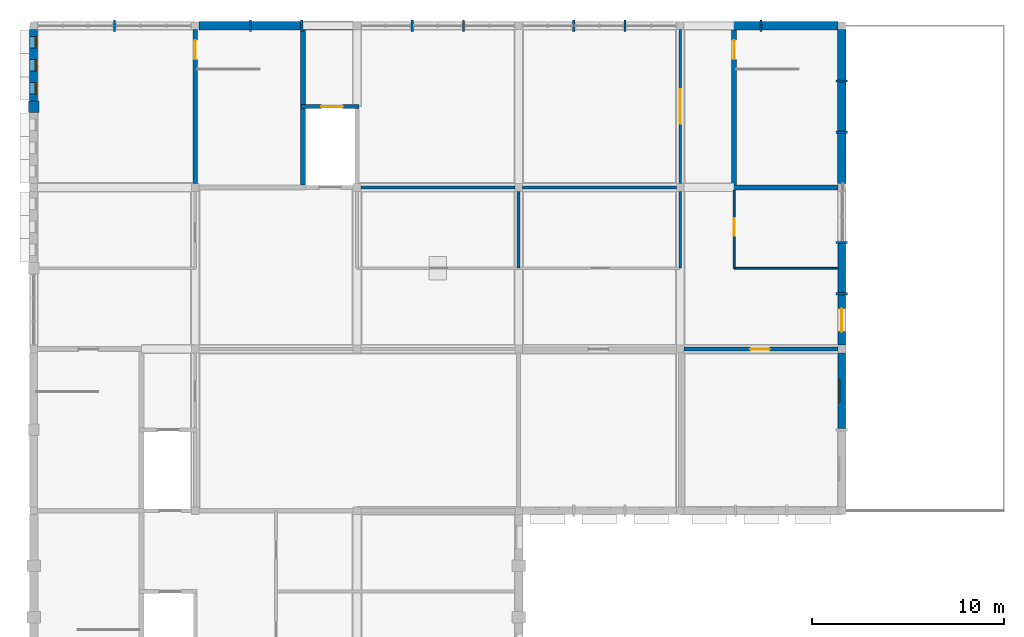
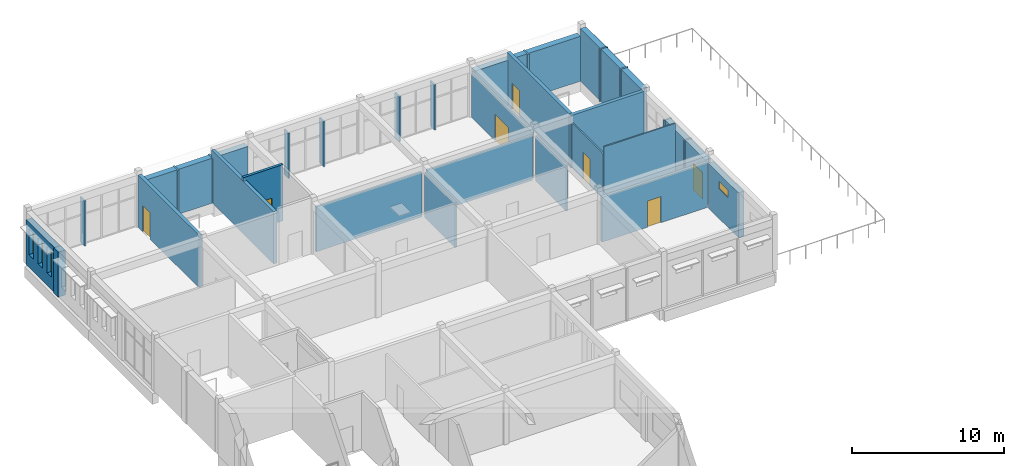
# One storey, part 14 of 15: 38 walls, 7 doors, 4 windows, 11 openings.
"""IFC4 building model written with IfcOpenShell, lengths in metres."""

from ifc_helpers import new_model, si_unit, direction, frame, frame_2d, origin, place, context, subcontext, project, spatial, rectangle, extrude, material, layer, layer_set, type_object, element, fill, save


model = new_model("IFC4")

# Units and contexts
model_context = context("Model", 3, precision=1e-05, world=origin(), true_north=direction((0.0, 1.0)))
body_context = subcontext(model_context, "Body", "Model", "MODEL_VIEW")
ifc_project = project(units=[si_unit("LENGTHUNIT", "METRE"), si_unit("AREAUNIT", "SQUARE_METRE"), si_unit("VOLUMEUNIT", "CUBIC_METRE"), si_unit("PLANEANGLEUNIT", "RADIAN"), si_unit("MASSUNIT", "GRAM", prefix="KILO")], contexts=[model_context])

# Site, building, storey
site_placement = place(None, origin())
site = spatial("IfcSite", under=ifc_project, at=site_placement, CompositionType="ELEMENT")
building_placement = place(site_placement, origin())
building = spatial("IfcBuilding", under=site, at=building_placement, Name="Fescue Hill Polytechnic", CompositionType="ELEMENT")
storey_placement = place(building_placement, frame((0.0, 0.0, 31.5)))
storey = spatial("IfcBuildingStorey", under=building, at=storey_placement, Name="L07", CompositionType="ELEMENT", Elevation=31.5)

# Walls
ifc_material_1 = material(Name="Clay brick masonry", Category="masonry")
ifc_layer_1 = layer(ifc_material_1, 0.550048828125)
ifc_layer_set_1 = layer_set([ifc_layer_1], Name="Clay brick masonry")
wall_type_1 = type_object("IfcWallType", Name="Brick pier 600x550", PredefinedType="SOLIDWALL", material=ifc_layer_set_1)
wall_1_placement = place(storey_placement, frame((0.0, 130.5, 0.0), z_axis=(0.0, 0.0, 1.0), x_axis=(0.0, -1.0, 0.0)))
element("IfcWall", 1, at=wall_1_placement, inside=storey, type_object=wall_type_1, Name="PR-L07-V5-14", PredefinedType="SOLIDWALL", context=body_context, shape_type="SweptSolid", body=[
    extrude(rectangle(XDim=0.60009765625, YDim=0.550048828125, at=frame_2d((0.300048828125, 0.0))), origin(), (0.0, 0.0, 1.0), 3.60009765625),
])
ifc_material_2 = material(Name="Concrete 40 MPa", Category="concrete")
ifc_layer_2 = layer(ifc_material_2, 0.25)
ifc_layer_set_2 = layer_set([ifc_layer_2], Name="Concrete 40 MPa")
wall_type_2 = type_object("IfcWallType", Name="Core wall 250", PredefinedType="SHEAR", material=ifc_layer_set_2)
wall_2_placement = place(storey_placement, frame((36.27490234375, 126.0, 0.0), z_axis=(0.0, 0.0, 1.0), x_axis=(1.0, 0.0, 0.0)))
element("IfcWall", 2, at=wall_2_placement, inside=storey, type_object=wall_type_2, Name="CW-L07-ST-V5-2-11", PredefinedType="SHEAR", context=body_context, shape_type="SweptSolid", body=[
    extrude(rectangle(XDim=5.525146484375, YDim=0.25, at=frame_2d((2.7626953125, 0.0))), origin(), (0.0, 0.0, 1.0), 4.199951171875),
])

# Wall, opening, door
wall_3_placement = place(storey_placement, frame((36.39990234375, 126.125, 0.0), z_axis=(0.0, 0.0, 1.0), x_axis=(0.0, 1.0, 0.0)))
wall_3 = element("IfcWall", 3, at=wall_3_placement, inside=storey, type_object=wall_type_2, Name="CW-L07-ST-V5-2-31", PredefinedType="SHEAR", context=body_context, shape_type="SweptSolid", body=[
    extrude(rectangle(XDim=8.14990234375, YDim=0.25, at=frame_2d((4.074951171875, 0.0))), origin(), (0.0, 0.0, 1.0), 4.199951171875),
])
opening_1_placement = place(wall_3_placement, frame((6.52490234375, 0.0, 0.0)))
opening_1 = element("IfcOpeningElement", 4, at=opening_1_placement, cuts=wall_3, Name="Opening D7027", PredefinedType="OPENING", context=body_context, shape_type="SweptSolid", body=[
    extrude(rectangle(XDim=1.0, YDim=2.10009765625, at=frame_2d((0.5, 1.050048828125))), frame((0.0, 0.135009765625, 0.0), z_axis=(0.0, -1.0, 0.0), x_axis=(1.0, 0.0, 0.0)), (0.0, 0.0, 1.0), 0.27001953125),
])
ifc_material_3 = material(Name="Steel fire door", Category="steel")
door_type_1 = type_object("IfcDoorType", Name="Door single swing 1000x2100 stair fire rated", OperationType="NOTDEFINED", PredefinedType="DOOR", material=ifc_material_3)
door_1_placement = place(opening_1_placement, origin())
door_1 = element("IfcDoor", 5, at=door_1_placement, inside=storey, type_object=door_type_1, Name="L07 ST-V5-2 stair door", OperationType="SINGLE_SWING_RIGHT", OverallHeight=2.10009765625, OverallWidth=1.0, PredefinedType="DOOR", context=body_context, shape_type="SweptSolid", body=[
    extrude(rectangle(XDim=1.0, YDim=2.10009765625, at=frame_2d((0.5, 1.050048828125))), frame((0.0, 0.02490234375, 0.0), z_axis=(0.0, -1.0, 0.0), x_axis=(1.0, 0.0, 0.0)), (0.0, 0.0, 1.0), 0.050048828125),
])
fill(opening_1, door_1)

wall_4_placement = place(storey_placement, frame((8.39990234375, 126.199951171875, 0.0), z_axis=(0.0, 0.0, 1.0), x_axis=(0.0, 1.0, 0.0)))
wall_4 = element("IfcWall", 6, at=wall_4_placement, inside=storey, type_object=wall_type_2, Name="CW-L07-ST-V5-3-31", PredefinedType="SHEAR", context=body_context, shape_type="SweptSolid", body=[
    extrude(rectangle(XDim=8.0, YDim=0.25, at=frame_2d((4.0, 0.0))), origin(), (0.0, 0.0, 1.0), 4.199951171875),
])
opening_2_placement = place(wall_4_placement, frame((6.449951171875, 0.0, 0.0)))
opening_2 = element("IfcOpeningElement", 7, at=opening_2_placement, cuts=wall_4, Name="Opening D7028", PredefinedType="OPENING", context=body_context, shape_type="SweptSolid", body=[
    extrude(rectangle(XDim=1.0, YDim=2.10009765625, at=frame_2d((0.5, 1.050048828125))), frame((0.0, 0.135009765625, 0.0), z_axis=(0.0, -1.0, 0.0), x_axis=(1.0, 0.0, 0.0)), (0.0, 0.0, 1.0), 0.27001953125),
])
door_2_placement = place(opening_2_placement, origin())
door_2 = element("IfcDoor", 8, at=door_2_placement, inside=storey, type_object=door_type_1, Name="L07 ST-V5-3 stair door", OperationType="SINGLE_SWING_LEFT", OverallHeight=2.10009765625, OverallWidth=1.0, PredefinedType="DOOR", context=body_context, shape_type="SweptSolid", body=[
    extrude(rectangle(XDim=1.0, YDim=2.10009765625, at=frame_2d((0.5, 1.050048828125))), frame((0.0, 0.02490234375, 0.0), z_axis=(0.0, -1.0, 0.0), x_axis=(1.0, 0.0, 0.0)), (0.0, 0.0, 1.0), 0.050048828125),
])
fill(opening_2, door_2)

# Walls
wall_5_placement = place(storey_placement, frame((14.0, 126.125, 0.0), z_axis=(0.0, 0.0, 1.0), x_axis=(0.0, 1.0, 0.0)))
element("IfcWall", 9, at=wall_5_placement, inside=storey, type_object=wall_type_2, Name="CW-L07-ST-V5-3-41", PredefinedType="SHEAR", context=body_context, shape_type="SweptSolid", body=[
    extrude(rectangle(XDim=8.14990234375, YDim=0.25, at=frame_2d((4.074951171875, 0.0))), origin(), (0.0, 0.0, 1.0), 4.199951171875),
])
ifc_material_4 = material(Name="Gypsum board partition")
ifc_layer_3 = layer(ifc_material_4, 0.14990234375)
ifc_layer_set_3 = layer_set([ifc_layer_3], Name="Gypsum board partition")
wall_type_3 = type_object("IfcWallType", Name="Corridor wall 150 EI 45", PredefinedType="PARTITIONING", material=ifc_layer_set_3)
wall_6_placement = place(storey_placement, frame((33.60009765625, 121.800048828125, 0.0), z_axis=(0.0, 0.0, 1.0), x_axis=(0.0, 1.0, 0.0)))
element("IfcWall", 10, at=wall_6_placement, inside=storey, type_object=wall_type_3, Name="IW-L07-045", PredefinedType="PARTITIONING", context=body_context, shape_type="SweptSolid", body=[
    extrude(rectangle(XDim=4.0, YDim=0.14990234375, at=frame_2d((2.0, 0.0))), origin(), (0.0, 0.0, 1.0), 3.60009765625),
])

# Wall, opening, door
wall_7_placement = place(storey_placement, frame((33.60009765625, 126.199951171875, 0.0), z_axis=(0.0, 0.0, 1.0), x_axis=(0.0, 1.0, 0.0)))
wall_7 = element("IfcWall", 11, at=wall_7_placement, inside=storey, type_object=wall_type_3, Name="IW-L07-046", PredefinedType="PARTITIONING", context=body_context, shape_type="SweptSolid", body=[
    extrude(rectangle(XDim=8.0, YDim=0.14990234375, at=frame_2d((4.0, 0.0))), origin(), (0.0, 0.0, 1.0), 3.60009765625),
])
opening_3_placement = place(wall_7_placement, frame((3.10009765625, 0.0, 0.0)))
opening_3 = element("IfcOpeningElement", 12, at=opening_3_placement, cuts=wall_7, Name="Opening D7021", PredefinedType="OPENING", context=body_context, shape_type="SweptSolid", body=[
    extrude(rectangle(XDim=1.800048828125, YDim=2.10009765625, at=frame_2d((0.89990234375, 1.050048828125))), frame((0.0, 0.0849609375, 0.0), z_axis=(0.0, -1.0, 0.0), x_axis=(1.0, 0.0, 0.0)), (0.0, 0.0, 1.0), 0.169921875),
])
ifc_material_5 = material(Name="Timber", Category="wood")
door_type_2 = type_object("IfcDoorType", Name="Door double swing 1800x2100 FD30S", OperationType="DOUBLE_DOOR_SINGLE_SWING", PredefinedType="DOOR", material=ifc_material_5)
door_3_placement = place(opening_3_placement, origin())
door_3 = element("IfcDoor", 13, at=door_3_placement, inside=storey, type_object=door_type_2, Name="Door D7021", OperationType="DOUBLE_DOOR_SINGLE_SWING", OverallHeight=2.10009765625, OverallWidth=1.800048828125, PredefinedType="DOOR", context=body_context, shape_type="SweptSolid", body=[
    extrude(rectangle(XDim=1.800048828125, YDim=2.10009765625, at=frame_2d((0.89990234375, 1.050048828125))), frame((0.0, 0.02490234375, 0.0), z_axis=(0.0, -1.0, 0.0), x_axis=(1.0, 0.0, 0.0)), (0.0, 0.0, 1.0), 0.050048828125),
])
fill(opening_3, door_3)

# Walls
ifc_layer_4 = layer(ifc_material_2, 0.449951171875)
ifc_layer_set_4 = layer_set([ifc_layer_4], Name="Concrete 40 MPa")
wall_type_4 = type_object("IfcWallType", Name="Exterior wall board-marked concrete 450", PredefinedType="SOLIDWALL", material=ifc_layer_set_4)
wall_8_placement = place(storey_placement, frame((16.60009765625, 134.39990234375, 0.0), z_axis=(0.0, 0.0, 1.0), x_axis=(-1.0, 0.0, 0.0)))
element("IfcWall", 14, at=wall_8_placement, inside=storey, type_object=wall_type_4, Name="EW-L07-V5-11", PredefinedType="SOLIDWALL", context=body_context, shape_type="SweptSolid", body=[
    extrude(rectangle(XDim=2.606689453125, YDim=0.449951171875, at=frame_2d((1.30322265625, 0.0))), origin(), (0.0, 0.0, 1.0), 3.60009765625),
])
ifc_layer_5 = layer(ifc_material_2, 0.449951171875)
ifc_layer_set_5 = layer_set([ifc_layer_5], Name="Concrete 40 MPa")
wall_type_5 = type_object("IfcWallType", Name="Exterior wall board-marked concrete 450 load-bearing", PredefinedType="SOLIDWALL", material=ifc_layer_set_5)
wall_9_placement = place(storey_placement, frame((42.0, 126.199951171875, 0.0), z_axis=(0.0, 0.0, 1.0), x_axis=(0.0, 1.0, 0.0)))
element("IfcWall", 15, at=wall_9_placement, inside=storey, type_object=wall_type_5, Name="EW-L07-V5-6", PredefinedType="SOLIDWALL", context=body_context, shape_type="SweptSolid", body=[
    extrude(rectangle(XDim=2.606689453125, YDim=0.449951171875, at=frame_2d((1.30322265625, 0.0))), origin(), (0.0, 0.0, 1.0), 4.199951171875),
])
wall_10_placement = place(storey_placement, frame((42.0, 128.9267578125, 0.0), z_axis=(0.0, 0.0, 1.0), x_axis=(0.0, 1.0, 0.0)))
element("IfcWall", 16, at=wall_10_placement, inside=storey, type_object=wall_type_5, Name="EW-L07-V5-7", PredefinedType="SOLIDWALL", context=body_context, shape_type="SweptSolid", body=[
    extrude(rectangle(XDim=2.546630859375, YDim=0.449951171875, at=frame_2d((1.2734375, 0.0))), origin(), (0.0, 0.0, 1.0), 4.199951171875),
])
wall_11_placement = place(storey_placement, frame((42.0, 131.59326171875, 0.0), z_axis=(0.0, 0.0, 1.0), x_axis=(0.0, 1.0, 0.0)))
element("IfcWall", 17, at=wall_11_placement, inside=storey, type_object=wall_type_5, Name="EW-L07-V5-8", PredefinedType="SOLIDWALL", context=body_context, shape_type="SweptSolid", body=[
    extrude(rectangle(XDim=2.606689453125, YDim=0.449951171875, at=frame_2d((1.30322265625, 0.0))), origin(), (0.0, 0.0, 1.0), 4.199951171875),
])
for number, where, z_axis, x_axis, name in (
    (18, (41.800048828125, 134.39990234375, 0.0), (0.0, 0.0, 1.0), (-1.0, 0.0, 0.0), "EW-L07-V5-9"),
    (19, (37.739990234375, 134.39990234375, 0.0), (0.0, 0.0, 1.0), (-1.0, 0.0, 0.0), "EW-L07-V5-10"),
):
    element("IfcWall", number, at=place(storey_placement, frame(where, z_axis=z_axis, x_axis=x_axis)), inside=storey, type_object=wall_type_5, Name=name, PredefinedType="SOLIDWALL", context=body_context, shape_type="SweptSolid", body=[
        extrude(rectangle(XDim=3.93994140625, YDim=0.449951171875, at=frame_2d((1.969970703125, 0.0))), origin(), (0.0, 0.0, 1.0), 3.60009765625),
    ])
wall_12_placement = place(storey_placement, frame((13.873291015625, 134.39990234375, 0.0), z_axis=(0.0, 0.0, 1.0), x_axis=(-1.0, 0.0, 0.0)))
element("IfcWall", 20, at=wall_12_placement, inside=storey, type_object=wall_type_5, Name="EW-L07-V5-12", PredefinedType="SOLIDWALL", context=body_context, shape_type="SweptSolid", body=[
    extrude(rectangle(XDim=2.546630859375, YDim=0.449951171875, at=frame_2d((1.2734375, 0.0))), origin(), (0.0, 0.0, 1.0), 3.60009765625),
])
wall_13_placement = place(storey_placement, frame((11.206787109375, 134.39990234375, 0.0), z_axis=(0.0, 0.0, 1.0), x_axis=(-1.0, 0.0, 0.0)))
element("IfcWall", 21, at=wall_13_placement, inside=storey, type_object=wall_type_5, Name="EW-L07-V5-13", PredefinedType="SOLIDWALL", context=body_context, shape_type="SweptSolid", body=[
    extrude(rectangle(XDim=2.606689453125, YDim=0.449951171875, at=frame_2d((1.30322265625, 0.0))), origin(), (0.0, 0.0, 1.0), 3.60009765625),
])

# Wall, openings, windows
ifc_layer_6 = layer(ifc_material_1, 0.419921875)
ifc_layer_set_6 = layer_set([ifc_layer_6], Name="Clay brick masonry")
wall_type_6 = type_object("IfcWallType", Name="Exterior wall buff-red brick cavity 420", PredefinedType="SOLIDWALL", material=ifc_layer_set_6)
wall_14_placement = place(storey_placement, frame((0.0, 134.199951171875, 0.0), z_axis=(0.0, 0.0, 1.0), x_axis=(0.0, -1.0, 0.0)))
wall_14 = element("IfcWall", 22, at=wall_14_placement, inside=storey, type_object=wall_type_6, Name="EW-L07-V5-15", PredefinedType="SOLIDWALL", context=body_context, shape_type="SweptSolid", body=[
    extrude(rectangle(XDim=3.699951171875, YDim=0.419921875, at=frame_2d((1.85009765625, 0.0))), origin(), (0.0, 0.0, 1.0), 3.60009765625),
])
opening_4_placement = place(wall_14_placement, frame((0.35009765625, 0.0, 1.0)))
opening_4 = element("IfcOpeningElement", 23, at=opening_4_placement, cuts=wall_14, Name="Opening W6", PredefinedType="OPENING", context=body_context, shape_type="SweptSolid", body=[
    extrude(rectangle(XDim=0.60009765625, YDim=2.10009765625, at=frame_2d((0.300048828125, 1.050048828125))), frame((0.0, 0.219970703125, 0.0), z_axis=(0.0, -1.0, 0.0), x_axis=(1.0, 0.0, 0.0)), (0.0, 0.0, 1.0), 0.43994140625),
])
opening_5_placement = place(wall_14_placement, frame((1.550048828125, 0.0, 1.0)))
opening_5 = element("IfcOpeningElement", 24, at=opening_5_placement, cuts=wall_14, Name="Opening W6", PredefinedType="OPENING", context=body_context, shape_type="SweptSolid", body=[
    extrude(rectangle(XDim=0.60009765625, YDim=2.10009765625, at=frame_2d((0.300048828125, 1.050048828125))), frame((0.0, 0.219970703125, 0.0), z_axis=(0.0, -1.0, 0.0), x_axis=(1.0, 0.0, 0.0)), (0.0, 0.0, 1.0), 0.43994140625),
])
opening_6_placement = place(wall_14_placement, frame((2.75, 0.0, 1.0)))
opening_6 = element("IfcOpeningElement", 25, at=opening_6_placement, cuts=wall_14, Name="Opening W6", PredefinedType="OPENING", context=body_context, shape_type="SweptSolid", body=[
    extrude(rectangle(XDim=0.60009765625, YDim=2.10009765625, at=frame_2d((0.300048828125, 1.050048828125))), frame((0.0, 0.219970703125, 0.0), z_axis=(0.0, -1.0, 0.0), x_axis=(1.0, 0.0, 0.0)), (0.0, 0.0, 1.0), 0.43994140625),
])
ifc_material_6 = material(Name="Powder-coated aluminium and glass", Category="aluminium")
window_type_1 = type_object("IfcWindowType", Name="Window slot 600x2100", PartitioningType="SINGLE_PANEL", PredefinedType="WINDOW", material=ifc_material_6)
window_1_placement = place(opening_4_placement, origin())
window_1 = element("IfcWindow", 26, at=window_1_placement, inside=storey, type_object=window_type_1, Name="WN-L07-V5-3", OverallHeight=2.10009765625, OverallWidth=0.60009765625, PartitioningType="SINGLE_PANEL", PredefinedType="WINDOW", context=body_context, shape_type="SweptSolid", body=[
    extrude(rectangle(XDim=0.60009765625, YDim=2.10009765625, at=frame_2d((0.300048828125, 1.050048828125))), frame((0.0, 0.150146484375, 0.0), z_axis=(0.0, -1.0, 0.0), x_axis=(1.0, 0.0, 0.0)), (0.0, 0.0, 1.0), 0.06005859375),
])
fill(opening_4, window_1)
window_2_placement = place(opening_5_placement, origin())
window_2 = element("IfcWindow", 27, at=window_2_placement, inside=storey, type_object=window_type_1, Name="WN-L07-V5-4", OverallHeight=2.10009765625, OverallWidth=0.60009765625, PartitioningType="SINGLE_PANEL", PredefinedType="WINDOW", context=body_context, shape_type="SweptSolid", body=[
    extrude(rectangle(XDim=0.60009765625, YDim=2.10009765625, at=frame_2d((0.300048828125, 1.050048828125))), frame((0.0, 0.150146484375, 0.0), z_axis=(0.0, -1.0, 0.0), x_axis=(1.0, 0.0, 0.0)), (0.0, 0.0, 1.0), 0.06005859375),
])
fill(opening_5, window_2)
window_3_placement = place(opening_6_placement, origin())
window_3 = element("IfcWindow", 28, at=window_3_placement, inside=storey, type_object=window_type_1, Name="WN-L07-V5-5", OverallHeight=2.10009765625, OverallWidth=0.60009765625, PartitioningType="SINGLE_PANEL", PredefinedType="WINDOW", context=body_context, shape_type="SweptSolid", body=[
    extrude(rectangle(XDim=0.60009765625, YDim=2.10009765625, at=frame_2d((0.300048828125, 1.050048828125))), frame((0.0, 0.150146484375, 0.0), z_axis=(0.0, -1.0, 0.0), x_axis=(1.0, 0.0, 0.0)), (0.0, 0.0, 1.0), 0.06005859375),
])
fill(opening_6, window_3)

# Wall, opening, window
ifc_layer_7 = layer(ifc_material_1, 0.39990234375)
ifc_layer_set_7 = layer_set([ifc_layer_7], Name="Clay brick masonry")
wall_type_7 = type_object("IfcWallType", Name="Exterior wall clinker brick cavity 400", PredefinedType="SOLIDWALL", material=ifc_layer_set_7)
wall_15_placement = place(storey_placement, frame((42.0, 113.4599609375, 0.0), z_axis=(0.0, 0.0, 1.0), x_axis=(0.0, 1.0, 0.0)))
wall_15 = element("IfcWall", 29, at=wall_15_placement, inside=storey, type_object=wall_type_7, Name="EW-L07-V5-2", PredefinedType="SOLIDWALL", context=body_context, shape_type="SweptSolid", body=[
    extrude(rectangle(XDim=3.93994140625, YDim=0.39990234375, at=frame_2d((1.969970703125, 0.0))), origin(), (0.0, 0.0, 1.0), 3.60009765625),
])
opening_7_placement = place(wall_15_placement, frame((1.3701171875, 0.0, 2.39990234375)))
opening_7 = element("IfcOpeningElement", 30, at=opening_7_placement, cuts=wall_15, Name="Opening W12", PredefinedType="OPENING", context=body_context, shape_type="SweptSolid", body=[
    extrude(rectangle(XDim=1.199951171875, YDim=0.60009765625, at=frame_2d((0.60009765625, 0.300048828125))), frame((0.0, 0.2099609375, 0.0), z_axis=(0.0, -1.0, 0.0), x_axis=(1.0, 0.0, 0.0)), (0.0, 0.0, 1.0), 0.419921875),
])
window_type_2 = type_object("IfcWindowType", Name="Window plant and store high-level 1200x600", PartitioningType="SINGLE_PANEL", PredefinedType="WINDOW", material=ifc_material_6)
window_4_placement = place(opening_7_placement, origin())
window_4 = element("IfcWindow", 31, at=window_4_placement, inside=storey, type_object=window_type_2, Name="WN-L07-V5-2", OverallHeight=0.60009765625, OverallWidth=1.199951171875, PartitioningType="SINGLE_PANEL", PredefinedType="WINDOW", context=body_context, shape_type="SweptSolid", body=[
    extrude(rectangle(XDim=1.199951171875, YDim=0.60009765625, at=frame_2d((0.60009765625, 0.300048828125))), frame((0.0, 0.159912109375, 0.0), z_axis=(0.0, -1.0, 0.0), x_axis=(1.0, 0.0, 0.0)), (0.0, 0.0, 1.0), 0.06005859375),
])
fill(opening_7, window_4)

# Wall, opening, door
wall_16_placement = place(storey_placement, frame((42.0, 117.800048828125, 0.0), z_axis=(0.0, 0.0, 1.0), x_axis=(0.0, 1.0, 0.0)))
wall_16 = element("IfcWall", 32, at=wall_16_placement, inside=storey, type_object=wall_type_7, Name="EW-L07-V5-3", PredefinedType="SOLIDWALL", context=body_context, shape_type="SweptSolid", body=[
    extrude(rectangle(XDim=2.606689453125, YDim=0.39990234375, at=frame_2d((1.30322265625, 0.0))), origin(), (0.0, 0.0, 1.0), 3.60009765625),
])
opening_8_placement = place(wall_16_placement, frame((0.703369140625, 0.0, 0.0)))
opening_8 = element("IfcOpeningElement", 33, at=opening_8_placement, cuts=wall_16, Name="Opening D7001", PredefinedType="OPENING", context=body_context, shape_type="SweptSolid", body=[
    extrude(rectangle(XDim=1.199951171875, YDim=2.10009765625, at=frame_2d((0.60009765625, 1.050048828125))), frame((0.0, 0.2099609375, 0.0), z_axis=(0.0, -1.0, 0.0), x_axis=(1.0, 0.0, 0.0)), (0.0, 0.0, 1.0), 0.419921875),
])
ifc_material_7 = material(Name="Aluminium and glass", Category="aluminium")
door_type_3 = type_object("IfcDoorType", Name="Door terrace glazed single 1200x2100", OperationType="SINGLE_SWING_LEFT", PredefinedType="DOOR", material=ifc_material_7)
door_4_placement = place(opening_8_placement, origin())
door_4 = element("IfcDoor", 34, at=door_4_placement, inside=storey, type_object=door_type_3, Name="Door D7001", OperationType="SINGLE_SWING_LEFT", OverallHeight=2.10009765625, OverallWidth=1.199951171875, PredefinedType="DOOR", context=body_context, shape_type="SweptSolid", body=[
    extrude(rectangle(XDim=1.199951171875, YDim=2.10009765625, at=frame_2d((0.60009765625, 1.050048828125))), frame((0.0, 0.02490234375, 0.0), z_axis=(0.0, -1.0, 0.0), x_axis=(1.0, 0.0, 0.0)), (0.0, 0.0, 1.0), 0.050048828125),
])
fill(opening_8, door_4)

# Wall
wall_17_placement = place(storey_placement, frame((42.0, 120.526611328125, 0.0), z_axis=(0.0, 0.0, 1.0), x_axis=(0.0, 1.0, 0.0)))
element("IfcWall", 35, at=wall_17_placement, inside=storey, type_object=wall_type_7, Name="EW-L07-V5-4", PredefinedType="SOLIDWALL", context=body_context, shape_type="SweptSolid", body=[
    extrude(rectangle(XDim=2.546630859375, YDim=0.39990234375, at=frame_2d((1.2734375, 0.0))), origin(), (0.0, 0.0, 1.0), 3.60009765625),
])

# Wall, opening, door
ifc_layer_8 = layer(ifc_material_2, 0.199951171875)
ifc_layer_set_8 = layer_set([ifc_layer_8], Name="Concrete 40 MPa")
wall_type_8 = type_object("IfcWallType", Name="Lift shaft wall 200", PredefinedType="SHEAR", material=ifc_layer_set_8)
wall_18_placement = place(storey_placement, frame((13.89990234375, 130.199951171875, 0.0), z_axis=(0.0, 0.0, 1.0), x_axis=(1.0, 0.0, 0.0)))
wall_18 = element("IfcWall", 36, at=wall_18_placement, inside=storey, type_object=wall_type_8, Name="CW-L07-LF-V5-2-21", PredefinedType="SHEAR", context=body_context, shape_type="SweptSolid", body=[
    extrude(rectangle(XDim=3.0, YDim=0.199951171875, at=frame_2d((1.5, 0.0))), origin(), (0.0, 0.0, 1.0), 4.5),
])
opening_9_placement = place(wall_18_placement, frame((1.050048828125, 0.0, 0.0)))
opening_9 = element("IfcOpeningElement", 37, at=opening_9_placement, cuts=wall_18, Name="Opening LD7-L07N", PredefinedType="OPENING", context=body_context, shape_type="SweptSolid", body=[
    extrude(rectangle(XDim=1.10009765625, YDim=2.10009765625, at=frame_2d((0.550048828125, 1.050048828125))), frame((0.0, 0.10986328125, 0.0), z_axis=(0.0, -1.0, 0.0), x_axis=(1.0, 0.0, 0.0)), (0.0, 0.0, 1.0), 0.219970703125),
])
ifc_material_8 = material(Name="Stainless steel", Category="steel")
door_type_4 = type_object("IfcDoorType", Name="Lift landing door sliding 1100x2100", OperationType="SLIDING_TO_LEFT", PredefinedType="DOOR", material=ifc_material_8)
door_5_placement = place(opening_9_placement, origin())
door_5 = element("IfcDoor", 38, at=door_5_placement, inside=storey, type_object=door_type_4, Name="L07 LF-V5-2 lift landing door", OperationType="SLIDING_TO_LEFT", OverallHeight=2.10009765625, OverallWidth=1.10009765625, PredefinedType="DOOR", context=body_context, shape_type="SweptSolid", body=[
    extrude(rectangle(XDim=1.10009765625, YDim=2.10009765625, at=frame_2d((0.550048828125, 1.050048828125))), frame((0.0, 0.02490234375, 0.0), z_axis=(0.0, -1.0, 0.0), x_axis=(1.0, 0.0, 0.0)), (0.0, 0.0, 1.0), 0.050048828125),
])
fill(opening_9, door_5)

# Walls
ifc_layer_9 = layer(ifc_material_4, 0.14990234375)
ifc_layer_set_9 = layer_set([ifc_layer_9], Name="Gypsum board partition")
wall_type_9 = type_object("IfcWallType", Name="Partition stud 150 acoustic", PredefinedType="PARTITIONING", material=ifc_layer_set_9)
for number, where, z_axis, x_axis, name in (
    (39, (17.0, 126.0, 0.0), (0.0, 0.0, 1.0), (1.0, 0.0, 0.0), "IW-L07-028"),
    (40, (25.39990234375, 126.0, 0.0), (0.0, 0.0, 1.0), (1.0, 0.0, 0.0), "IW-L07-029"),
):
    element("IfcWall", number, at=place(storey_placement, frame(where, z_axis=z_axis, x_axis=x_axis)), inside=storey, type_object=wall_type_9, Name=name, PredefinedType="PARTITIONING", context=body_context, shape_type="SweptSolid", body=[
        extrude(rectangle(XDim=8.0, YDim=0.14990234375, at=frame_2d((4.0, 0.0))), origin(), (0.0, 0.0, 1.0), 3.60009765625),
    ])
wall_19_placement = place(storey_placement, frame((25.199951171875, 121.800048828125, 0.0), z_axis=(0.0, 0.0, 1.0), x_axis=(0.0, 1.0, 0.0)))
element("IfcWall", 41, at=wall_19_placement, inside=storey, type_object=wall_type_9, Name="IW-L07-044", PredefinedType="PARTITIONING", context=body_context, shape_type="SweptSolid", body=[
    extrude(rectangle(XDim=4.0, YDim=0.14990234375, at=frame_2d((2.0, 0.0))), origin(), (0.0, 0.0, 1.0), 3.60009765625),
])

# Wall, opening, door
ifc_material_9 = material(Name="Concrete masonry block 15 MPa", Category="masonry")
ifc_layer_10 = layer(ifc_material_9, 0.199951171875)
ifc_layer_set_10 = layer_set([ifc_layer_10], Name="Concrete masonry block 15 MPa")
wall_type_10 = type_object("IfcWallType", Name="Plant room wall 200 block EI 60", PredefinedType="PARTITIONING", material=ifc_layer_set_10)
wall_20_placement = place(storey_placement, frame((33.800048828125, 117.60009765625, 0.0), z_axis=(0.0, 0.0, 1.0), x_axis=(1.0, 0.0, 0.0)))
wall_20 = element("IfcWall", 42, at=wall_20_placement, inside=storey, type_object=wall_type_10, Name="IW-L07-024", PredefinedType="PARTITIONING", context=body_context, shape_type="SweptSolid", body=[
    extrude(rectangle(XDim=8.0, YDim=0.199951171875, at=frame_2d((4.0, 0.0))), origin(), (0.0, 0.0, 1.0), 3.60009765625),
])
opening_10_placement = place(wall_20_placement, frame((3.449951171875, 0.0, 0.0)))
opening_10 = element("IfcOpeningElement", 43, at=opening_10_placement, cuts=wall_20, Name="Opening D7018", PredefinedType="OPENING", context=body_context, shape_type="SweptSolid", body=[
    extrude(rectangle(XDim=1.0, YDim=2.10009765625, at=frame_2d((0.5, 1.050048828125))), frame((0.0, 0.10986328125, 0.0), z_axis=(0.0, -1.0, 0.0), x_axis=(1.0, 0.0, 0.0)), (0.0, 0.0, 1.0), 0.219970703125),
])
ifc_material_10 = material(Name="Steel", Category="steel")
door_type_5 = type_object("IfcDoorType", Name="Door single swing 1000x2100 FD60", OperationType="SINGLE_SWING_LEFT", PredefinedType="DOOR", material=ifc_material_10)
door_6_placement = place(opening_10_placement, origin())
door_6 = element("IfcDoor", 44, at=door_6_placement, inside=storey, type_object=door_type_5, Name="Door D7018", OperationType="SINGLE_SWING_LEFT", OverallHeight=2.10009765625, OverallWidth=1.0, PredefinedType="DOOR", context=body_context, shape_type="SweptSolid", body=[
    extrude(rectangle(XDim=1.0, YDim=2.10009765625, at=frame_2d((0.5, 1.050048828125))), frame((0.0, 0.02490234375, 0.0), z_axis=(0.0, -1.0, 0.0), x_axis=(1.0, 0.0, 0.0)), (0.0, 0.0, 1.0), 0.050048828125),
])
fill(opening_10, door_6)

# Walls
ifc_material_11 = material(Name="Glulam 24f-EX", Category="wood")
ifc_layer_11 = layer(ifc_material_11, 0.60009765625)
ifc_layer_set_11 = layer_set([ifc_layer_11], Name="Glulam 24f-EX")
wall_type_11 = type_object("IfcWallType", Name="Timber fin 120x600", PredefinedType="SOLIDWALL", material=ifc_layer_set_11)
wall_21_placement = place(storey_placement, frame((42.0, 120.40673828125, 0.0), z_axis=(0.0, 0.0, 1.0), x_axis=(0.0, 1.0, 0.0)))
element("IfcWall", 45, at=wall_21_placement, inside=storey, type_object=wall_type_11, Name="PR-L07-V5-2", PredefinedType="SOLIDWALL", context=body_context, shape_type="SweptSolid", body=[
    extrude(rectangle(XDim=0.119873046875, YDim=0.60009765625, at=frame_2d((0.06005859375, 0.0))), origin(), (0.0, 0.0, 1.0), 3.60009765625),
])
wall_22_placement = place(storey_placement, frame((42.0, 123.0732421875, 0.0), z_axis=(0.0, 0.0, 1.0), x_axis=(0.0, 1.0, 0.0)))
element("IfcWall", 46, at=wall_22_placement, inside=storey, type_object=wall_type_11, Name="PR-L07-V5-3", PredefinedType="SOLIDWALL", context=body_context, shape_type="SweptSolid", body=[
    extrude(rectangle(XDim=0.1201171875, YDim=0.60009765625, at=frame_2d((0.06005859375, 0.0))), origin(), (0.0, 0.0, 1.0), 3.60009765625),
])
wall_23_placement = place(storey_placement, frame((42.0, 128.806640625, 0.0), z_axis=(0.0, 0.0, 1.0), x_axis=(0.0, 1.0, 0.0)))
element("IfcWall", 47, at=wall_23_placement, inside=storey, type_object=wall_type_11, Name="PR-L07-V5-4", PredefinedType="SOLIDWALL", context=body_context, shape_type="SweptSolid", body=[
    extrude(rectangle(XDim=0.1201171875, YDim=0.60009765625, at=frame_2d((0.06005859375, 0.0))), origin(), (0.0, 0.0, 1.0), 4.199951171875),
])
wall_24_placement = place(storey_placement, frame((42.0, 131.473388671875, 0.0), z_axis=(0.0, 0.0, 1.0), x_axis=(0.0, 1.0, 0.0)))
element("IfcWall", 48, at=wall_24_placement, inside=storey, type_object=wall_type_11, Name="PR-L07-V5-5", PredefinedType="SOLIDWALL", context=body_context, shape_type="SweptSolid", body=[
    extrude(rectangle(XDim=0.119873046875, YDim=0.60009765625, at=frame_2d((0.06005859375, 0.0))), origin(), (0.0, 0.0, 1.0), 4.199951171875),
])
wall_25_placement = place(storey_placement, frame((37.860107421875, 134.39990234375, 0.0), z_axis=(0.0, 0.0, 1.0), x_axis=(-1.0, 0.0, 0.0)))
element("IfcWall", 49, at=wall_25_placement, inside=storey, type_object=wall_type_11, Name="PR-L07-V5-6", PredefinedType="SOLIDWALL", context=body_context, shape_type="SweptSolid", body=[
    extrude(rectangle(XDim=0.1201171875, YDim=0.60009765625, at=frame_2d((0.06005859375, 0.0))), origin(), (0.0, 0.0, 1.0), 3.60009765625),
])
wall_26_placement = place(storey_placement, frame((30.793212890625, 134.39990234375, 0.0), z_axis=(0.0, 0.0, 1.0), x_axis=(-1.0, 0.0, 0.0)))
element("IfcWall", 50, at=wall_26_placement, inside=storey, type_object=wall_type_11, Name="PR-L07-V5-7", PredefinedType="SOLIDWALL", context=body_context, shape_type="SweptSolid", body=[
    extrude(rectangle(XDim=0.119873046875, YDim=0.60009765625, at=frame_2d((0.06005859375, 0.0))), origin(), (0.0, 0.0, 1.0), 3.60009765625),
])
for number, where, z_axis, x_axis, name in (
    (51, (28.126708984375, 134.39990234375, 0.0), (0.0, 0.0, 1.0), (-1.0, 0.0, 0.0), "PR-L07-V5-8"),
    (52, (22.393310546875, 134.39990234375, 0.0), (0.0, 0.0, 1.0), (-1.0, 0.0, 0.0), "PR-L07-V5-9"),
    (53, (19.726806640625, 134.39990234375, 0.0), (0.0, 0.0, 1.0), (-1.0, 0.0, 0.0), "PR-L07-V5-10"),
    (54, (13.993408203125, 134.39990234375, 0.0), (0.0, 0.0, 1.0), (-1.0, 0.0, 0.0), "PR-L07-V5-11"),
):
    element("IfcWall", number, at=place(storey_placement, frame(where, z_axis=z_axis, x_axis=x_axis)), inside=storey, type_object=wall_type_11, Name=name, PredefinedType="SOLIDWALL", context=body_context, shape_type="SweptSolid", body=[
        extrude(rectangle(XDim=0.1201171875, YDim=0.60009765625, at=frame_2d((0.06005859375, 0.0))), origin(), (0.0, 0.0, 1.0), 3.60009765625),
    ])
wall_27_placement = place(storey_placement, frame((11.32666015625, 134.39990234375, 0.0), z_axis=(0.0, 0.0, 1.0), x_axis=(-1.0, 0.0, 0.0)))
element("IfcWall", 55, at=wall_27_placement, inside=storey, type_object=wall_type_11, Name="PR-L07-V5-12", PredefinedType="SOLIDWALL", context=body_context, shape_type="SweptSolid", body=[
    extrude(rectangle(XDim=0.119873046875, YDim=0.60009765625, at=frame_2d((0.06005859375, 0.0))), origin(), (0.0, 0.0, 1.0), 3.60009765625),
])
wall_28_placement = place(storey_placement, frame((4.260009765625, 134.39990234375, 0.0), z_axis=(0.0, 0.0, 1.0), x_axis=(-1.0, 0.0, 0.0)))
element("IfcWall", 56, at=wall_28_placement, inside=storey, type_object=wall_type_11, Name="PR-L07-V5-13", PredefinedType="SOLIDWALL", context=body_context, shape_type="SweptSolid", body=[
    extrude(rectangle(XDim=0.1201171875, YDim=0.60009765625, at=frame_2d((0.06005859375, 0.0))), origin(), (0.0, 0.0, 1.0), 3.60009765625),
])
ifc_layer_12 = layer(ifc_material_4, 0.10009765625)
ifc_layer_set_12 = layer_set([ifc_layer_12], Name="Gypsum board partition")
wall_type_12 = type_object("IfcWallType", Name="WC partition 100 moisture resistant", PredefinedType="PARTITIONING", material=ifc_layer_set_12)
wall_29_placement = place(storey_placement, frame((36.39990234375, 121.800048828125, 0.0), z_axis=(0.0, 0.0, 1.0), x_axis=(1.0, 0.0, 0.0)))
element("IfcWall", 57, at=wall_29_placement, inside=storey, type_object=wall_type_12, Name="IW-L07-027", PredefinedType="PARTITIONING", context=body_context, shape_type="SweptSolid", body=[
    extrude(rectangle(XDim=5.400146484375, YDim=0.10009765625, at=frame_2d((2.7001953125, 0.0))), origin(), (0.0, 0.0, 1.0), 4.14990234375),
])

# Wall, opening, door
wall_30_placement = place(storey_placement, frame((36.39990234375, 121.800048828125, 0.0), z_axis=(0.0, 0.0, 1.0), x_axis=(0.0, 1.0, 0.0)))
wall_30 = element("IfcWall", 58, at=wall_30_placement, inside=storey, type_object=wall_type_12, Name="IW-L07-048", PredefinedType="PARTITIONING", context=body_context, shape_type="SweptSolid", body=[
    extrude(rectangle(XDim=4.050048828125, YDim=0.10009765625, at=frame_2d((2.02490234375, 0.0))), origin(), (0.0, 0.0, 1.0), 3.60009765625),
])
opening_11_placement = place(wall_30_placement, frame((1.699951171875, 0.0, 0.0)))
opening_11 = element("IfcOpeningElement", 59, at=opening_11_placement, cuts=wall_30, Name="Opening D7015", PredefinedType="OPENING", context=body_context, shape_type="SweptSolid", body=[
    extrude(rectangle(XDim=0.89990234375, YDim=2.10009765625, at=frame_2d((0.449951171875, 1.050048828125))), frame((0.0, 0.06005859375, 0.0), z_axis=(0.0, -1.0, 0.0), x_axis=(1.0, 0.0, 0.0)), (0.0, 0.0, 1.0), 0.1201171875),
])
door_type_6 = type_object("IfcDoorType", Name="Door single swing 900x2100 store", OperationType="SINGLE_SWING_LEFT", PredefinedType="DOOR", material=ifc_material_5)
door_7_placement = place(opening_11_placement, origin())
door_7 = element("IfcDoor", 60, at=door_7_placement, inside=storey, type_object=door_type_6, Name="Door D7015", OperationType="SINGLE_SWING_RIGHT", OverallHeight=2.10009765625, OverallWidth=0.89990234375, PredefinedType="DOOR", context=body_context, shape_type="SweptSolid", body=[
    extrude(rectangle(XDim=0.89990234375, YDim=2.10009765625, at=frame_2d((0.449951171875, 1.050048828125))), frame((0.0, 0.02490234375, 0.0), z_axis=(0.0, -1.0, 0.0), x_axis=(1.0, 0.0, 0.0)), (0.0, 0.0, 1.0), 0.050048828125),
])
fill(opening_11, door_7)

save(model, "model.ifc")
